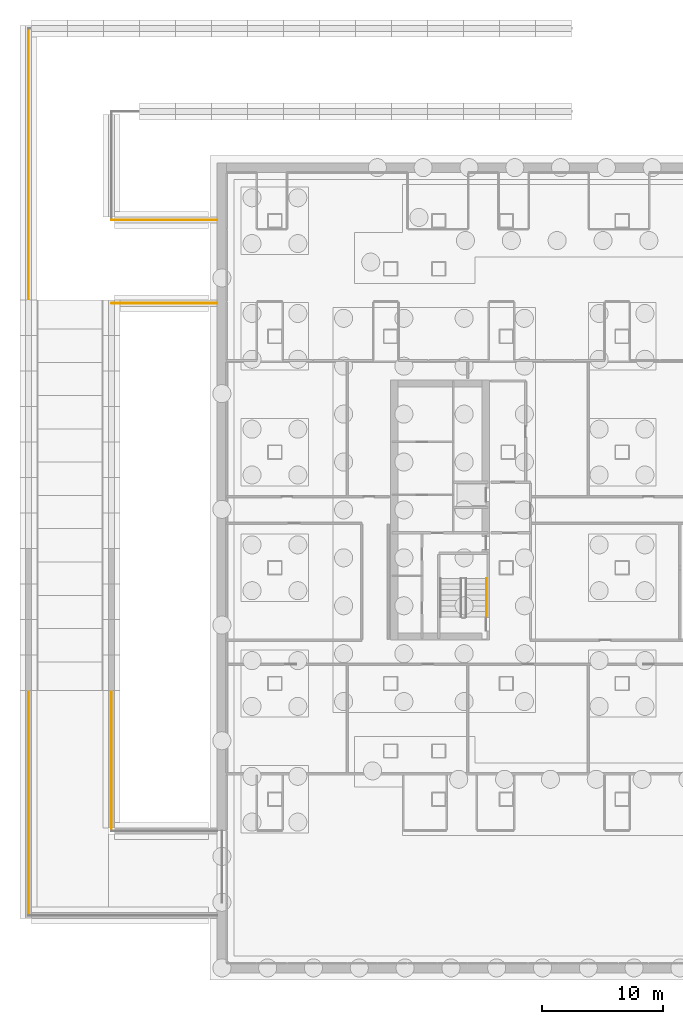
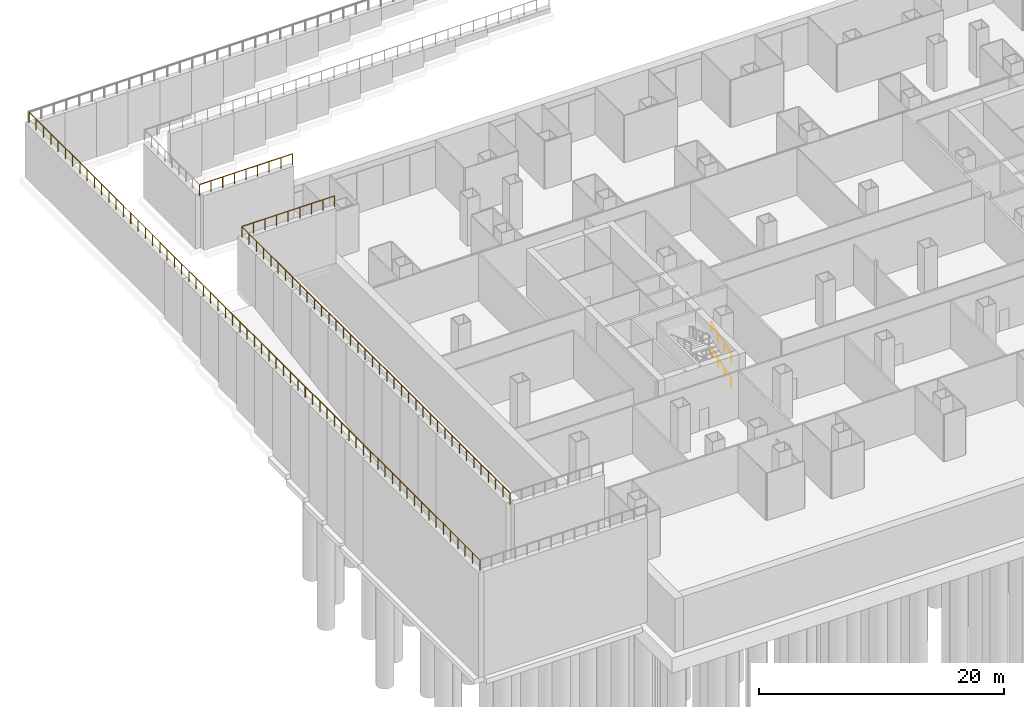
# One storey, part 14 of 17: 6 railings.
"""IFC4 building model written with IfcOpenShell, lengths in metres."""

from ifc_helpers import new_model, si_unit, direction, frame, origin, origin_2d, place, context, subcontext, project, spatial, circle, extrude, material, type_object, element, save


model = new_model("IFC4")

# Units and contexts
model_context = context("Model", 3, precision=1e-05, world=origin(), true_north=direction((0.0, 1.0)))
body_context = subcontext(model_context, "Body", "Model", "MODEL_VIEW")
ifc_project = project(units=[si_unit("LENGTHUNIT", "METRE"), si_unit("AREAUNIT", "SQUARE_METRE"), si_unit("VOLUMEUNIT", "CUBIC_METRE"), si_unit("PLANEANGLEUNIT", "RADIAN"), si_unit("MASSUNIT", "GRAM", prefix="KILO")], contexts=[model_context])

# Site, building, storey
site_placement = place(None, origin())
site = spatial("IfcSite", under=ifc_project, at=site_placement, CompositionType="ELEMENT")
building_placement = place(site_placement, origin())
building = spatial("IfcBuilding", under=site, at=building_placement, Name="Cobrizo Arcos Hotel Tower", CompositionType="ELEMENT")
storey_placement = place(building_placement, frame((0.0, 0.0, -10.0)))
storey = spatial("IfcBuildingStorey", under=building, at=storey_placement, Name="B2", CompositionType="ELEMENT", Elevation=-10.0)

# Railings
ifc_material = material(Name="Stainless steel railing", Category="steel")
railing_type_1 = type_object("IfcRailingType", Name="Ramp edge guard 1100", PredefinedType="GUARDRAIL", material=ifc_material)
railing_1_placement = place(storey_placement, frame((-54.050048828125, 39.949951171875, 10.14990234375)))
element("IfcRailing", 1, at=railing_1_placement, inside=storey, type_object=railing_type_1, Name="Ramp edge guard street 2", PredefinedType="GUARDRAIL", context=body_context, shape_type="SweptSolid", body=[
    extrude(circle(Radius=0.02392578125, at=origin_2d()), frame((0.0, 0.0, 1.076171875), z_axis=(0.0, -1.0, 0.0), x_axis=(1.0, 0.0, 0.0)), (0.0, 0.0, 1.0), 73.599853515625),
    extrude(circle(Radius=0.02099609375, at=origin_2d()), origin(), (0.0, 0.0, 1.0), 1.052001953125),
    extrude(circle(Radius=0.02099609375, at=origin_2d()), frame((0.0, -1.18701171875, 0.0)), (0.0, 0.0, 1.0), 1.052001953125),
    extrude(circle(Radius=0.02099609375, at=origin_2d()), frame((0.0, -2.374267578125, 0.0)), (0.0, 0.0, 1.0), 1.052001953125),
    extrude(circle(Radius=0.02099609375, at=origin_2d()), frame((0.0, -3.561279296875, 0.0)), (0.0, 0.0, 1.0), 1.052001953125),
    extrude(circle(Radius=0.02099609375, at=origin_2d()), frame((0.0, -4.748291015625, 0.0)), (0.0, 0.0, 1.0), 1.052001953125),
    extrude(circle(Radius=0.02099609375, at=origin_2d()), frame((0.0, -5.935546875, 0.0)), (0.0, 0.0, 1.0), 1.052001953125),
    extrude(circle(Radius=0.02099609375, at=origin_2d()), frame((0.0, -7.12255859375, 0.0)), (0.0, 0.0, 1.0), 1.052001953125),
    extrude(circle(Radius=0.02099609375, at=origin_2d()), frame((0.0, -8.3095703125, 0.0)), (0.0, 0.0, 1.0), 1.052001953125),
    extrude(circle(Radius=0.02099609375, at=origin_2d()), frame((0.0, -9.496826171875, 0.0)), (0.0, 0.0, 1.0), 1.052001953125),
    extrude(circle(Radius=0.02099609375, at=origin_2d()), frame((0.0, -10.683837890625, 0.0)), (0.0, 0.0, 1.0), 1.052001953125),
    extrude(circle(Radius=0.02099609375, at=origin_2d()), frame((0.0, -11.870849609375, 0.0)), (0.0, 0.0, 1.0), 1.052001953125),
    extrude(circle(Radius=0.02099609375, at=origin_2d()), frame((0.0, -13.05810546875, 0.0)), (0.0, 0.0, 1.0), 1.052001953125),
    extrude(circle(Radius=0.02099609375, at=origin_2d()), frame((0.0, -14.2451171875, 0.0)), (0.0, 0.0, 1.0), 1.052001953125),
    extrude(circle(Radius=0.02099609375, at=origin_2d()), frame((0.0, -15.43212890625, 0.0)), (0.0, 0.0, 1.0), 1.052001953125),
    extrude(circle(Radius=0.02099609375, at=origin_2d()), frame((0.0, -16.619384765625, 0.0)), (0.0, 0.0, 1.0), 1.052001953125),
    extrude(circle(Radius=0.02099609375, at=origin_2d()), frame((0.0, -17.806396484375, 0.0)), (0.0, 0.0, 1.0), 1.052001953125),
    extrude(circle(Radius=0.02099609375, at=origin_2d()), frame((0.0, -18.993408203125, 0.0)), (0.0, 0.0, 1.0), 1.052001953125),
    extrude(circle(Radius=0.02099609375, at=origin_2d()), frame((0.0, -20.1806640625, 0.0)), (0.0, 0.0, 1.0), 1.052001953125),
    extrude(circle(Radius=0.02099609375, at=origin_2d()), frame((0.0, -21.36767578125, 0.0)), (0.0, 0.0, 1.0), 1.052001953125),
    extrude(circle(Radius=0.02099609375, at=origin_2d()), frame((0.0, -22.5546875, 0.0)), (0.0, 0.0, 1.0), 1.052001953125),
    extrude(circle(Radius=0.02099609375, at=origin_2d()), frame((0.0, -23.741943359375, 0.0)), (0.0, 0.0, 1.0), 1.052001953125),
    extrude(circle(Radius=0.02099609375, at=origin_2d()), frame((0.0, -24.928955078125, 0.0)), (0.0, 0.0, 1.0), 1.052001953125),
    extrude(circle(Radius=0.02099609375, at=origin_2d()), frame((0.0, -26.115966796875, 0.0)), (0.0, 0.0, 1.0), 1.052001953125),
    extrude(circle(Radius=0.02099609375, at=origin_2d()), frame((0.0, -27.30322265625, 0.0)), (0.0, 0.0, 1.0), 1.052001953125),
    extrude(circle(Radius=0.02099609375, at=origin_2d()), frame((0.0, -28.490234375, 0.0)), (0.0, 0.0, 1.0), 1.052001953125),
    extrude(circle(Radius=0.02099609375, at=origin_2d()), frame((0.0, -29.67724609375, 0.0)), (0.0, 0.0, 1.0), 1.052001953125),
    extrude(circle(Radius=0.02099609375, at=origin_2d()), frame((0.0, -30.864501953125, 0.0)), (0.0, 0.0, 1.0), 1.052001953125),
    extrude(circle(Radius=0.02099609375, at=origin_2d()), frame((0.0, -32.051513671875, 0.0)), (0.0, 0.0, 1.0), 1.052001953125),
    extrude(circle(Radius=0.02099609375, at=origin_2d()), frame((0.0, -33.238525390625, 0.0)), (0.0, 0.0, 1.0), 1.052001953125),
    extrude(circle(Radius=0.02099609375, at=origin_2d()), frame((0.0, -34.42578125, 0.0)), (0.0, 0.0, 1.0), 1.052001953125),
    extrude(circle(Radius=0.02099609375, at=origin_2d()), frame((0.0, -35.61279296875, 0.0)), (0.0, 0.0, 1.0), 1.052001953125),
    extrude(circle(Radius=0.02099609375, at=origin_2d()), frame((0.0, -36.7998046875, 0.0)), (0.0, 0.0, 1.0), 1.052001953125),
    extrude(circle(Radius=0.02099609375, at=origin_2d()), frame((0.0, -37.987060546875, 0.0)), (0.0, 0.0, 1.0), 1.052001953125),
    extrude(circle(Radius=0.02099609375, at=origin_2d()), frame((0.0, -39.174072265625, 0.0)), (0.0, 0.0, 1.0), 1.052001953125),
    extrude(circle(Radius=0.02099609375, at=origin_2d()), frame((0.0, -40.361328125, 0.0)), (0.0, 0.0, 1.0), 1.052001953125),
    extrude(circle(Radius=0.02099609375, at=origin_2d()), frame((0.0, -41.54833984375, 0.0)), (0.0, 0.0, 1.0), 1.052001953125),
    extrude(circle(Radius=0.02099609375, at=origin_2d()), frame((0.0, -42.7353515625, 0.0)), (0.0, 0.0, 1.0), 1.052001953125),
    extrude(circle(Radius=0.02099609375, at=origin_2d()), frame((0.0, -43.922607421875, 0.0)), (0.0, 0.0, 1.0), 1.052001953125),
    extrude(circle(Radius=0.02099609375, at=origin_2d()), frame((0.0, -45.109619140625, 0.0)), (0.0, 0.0, 1.0), 1.052001953125),
    extrude(circle(Radius=0.02099609375, at=origin_2d()), frame((0.0, -46.296630859375, 0.0)), (0.0, 0.0, 1.0), 1.052001953125),
    extrude(circle(Radius=0.02099609375, at=origin_2d()), frame((0.0, -47.48388671875, 0.0)), (0.0, 0.0, 1.0), 1.052001953125),
    extrude(circle(Radius=0.02099609375, at=origin_2d()), frame((0.0, -48.6708984375, 0.0)), (0.0, 0.0, 1.0), 1.052001953125),
    extrude(circle(Radius=0.02099609375, at=origin_2d()), frame((0.0, -49.85791015625, 0.0)), (0.0, 0.0, 1.0), 1.052001953125),
    extrude(circle(Radius=0.02099609375, at=origin_2d()), frame((0.0, -51.045166015625, 0.0)), (0.0, 0.0, 1.0), 1.052001953125),
    extrude(circle(Radius=0.02099609375, at=origin_2d()), frame((0.0, -52.232177734375, 0.0)), (0.0, 0.0, 1.0), 1.052001953125),
    extrude(circle(Radius=0.02099609375, at=origin_2d()), frame((0.0, -53.419189453125, 0.0)), (0.0, 0.0, 1.0), 1.052001953125),
    extrude(circle(Radius=0.02099609375, at=origin_2d()), frame((0.0, -54.6064453125, 0.0)), (0.0, 0.0, 1.0), 1.052001953125),
    extrude(circle(Radius=0.02099609375, at=origin_2d()), frame((0.0, -55.79345703125, 0.0)), (0.0, 0.0, 1.0), 1.052001953125),
    extrude(circle(Radius=0.02099609375, at=origin_2d()), frame((0.0, -56.98046875, 0.0)), (0.0, 0.0, 1.0), 1.052001953125),
    extrude(circle(Radius=0.02099609375, at=origin_2d()), frame((0.0, -58.167724609375, 0.0)), (0.0, 0.0, 1.0), 1.052001953125),
    extrude(circle(Radius=0.02099609375, at=origin_2d()), frame((0.0, -59.354736328125, 0.0)), (0.0, 0.0, 1.0), 1.052001953125),
    extrude(circle(Radius=0.02099609375, at=origin_2d()), frame((0.0, -60.541748046875, 0.0)), (0.0, 0.0, 1.0), 1.052001953125),
    extrude(circle(Radius=0.02099609375, at=origin_2d()), frame((0.0, -61.72900390625, 0.0)), (0.0, 0.0, 1.0), 1.052001953125),
    extrude(circle(Radius=0.02099609375, at=origin_2d()), frame((0.0, -62.916015625, 0.0)), (0.0, 0.0, 1.0), 1.052001953125),
    extrude(circle(Radius=0.02099609375, at=origin_2d()), frame((0.0, -64.10302734375, 0.0)), (0.0, 0.0, 1.0), 1.052001953125),
    extrude(circle(Radius=0.02099609375, at=origin_2d()), frame((0.0, -65.290283203125, 0.0)), (0.0, 0.0, 1.0), 1.052001953125),
    extrude(circle(Radius=0.02099609375, at=origin_2d()), frame((0.0, -66.477294921875, 0.0)), (0.0, 0.0, 1.0), 1.052001953125),
    extrude(circle(Radius=0.02099609375, at=origin_2d()), frame((0.0, -67.664306640625, 0.0)), (0.0, 0.0, 1.0), 1.052001953125),
    extrude(circle(Radius=0.02099609375, at=origin_2d()), frame((0.0, -68.8515625, 0.0)), (0.0, 0.0, 1.0), 1.052001953125),
    extrude(circle(Radius=0.02099609375, at=origin_2d()), frame((0.0, -70.03857421875, 0.0)), (0.0, 0.0, 1.0), 1.052001953125),
    extrude(circle(Radius=0.02099609375, at=origin_2d()), frame((0.0, -71.2255859375, 0.0)), (0.0, 0.0, 1.0), 1.052001953125),
    extrude(circle(Radius=0.02099609375, at=origin_2d()), frame((0.0, -72.412841796875, 0.0)), (0.0, 0.0, 1.0), 1.052001953125),
    extrude(circle(Radius=0.02099609375, at=origin_2d()), frame((0.0, -73.599853515625, 0.0)), (0.0, 0.0, 1.0), 1.052001953125),
])
railing_2_placement = place(storey_placement, frame((-38.39990234375, 17.14990234375, 10.14990234375)))
element("IfcRailing", 2, at=railing_2_placement, inside=storey, type_object=railing_type_1, Name="Ramp edge guard inner south 1", PredefinedType="GUARDRAIL", context=body_context, shape_type="SweptSolid", body=[
    extrude(circle(Radius=0.02392578125, at=origin_2d()), frame((0.0, 0.0, 1.076171875), z_axis=(-1.0, 0.0, 0.0), x_axis=(0.0, -1.0, 0.0)), (0.0, 0.0, 1.0), 8.75),
    extrude(circle(Radius=0.02099609375, at=origin_2d()), origin(), (0.0, 0.0, 1.0), 1.052001953125),
    extrude(circle(Radius=0.02099609375, at=origin_2d()), frame((-1.09375, 0.0, 0.0)), (0.0, 0.0, 1.0), 1.052001953125),
    extrude(circle(Radius=0.02099609375, at=origin_2d()), frame((-2.1875, 0.0, 0.0)), (0.0, 0.0, 1.0), 1.052001953125),
    extrude(circle(Radius=0.02099609375, at=origin_2d()), frame((-3.28125, 0.0, 0.0)), (0.0, 0.0, 1.0), 1.052001953125),
    extrude(circle(Radius=0.02099609375, at=origin_2d()), frame((-4.375, 0.0, 0.0)), (0.0, 0.0, 1.0), 1.052001953125),
    extrude(circle(Radius=0.02099609375, at=origin_2d()), frame((-5.46875, 0.0, 0.0)), (0.0, 0.0, 1.0), 1.052001953125),
    extrude(circle(Radius=0.02099609375, at=origin_2d()), frame((-6.5625, 0.0, 0.0)), (0.0, 0.0, 1.0), 1.052001953125),
    extrude(circle(Radius=0.02099609375, at=origin_2d()), frame((-7.65625, 0.0, 0.0)), (0.0, 0.0, 1.0), 1.052001953125),
    extrude(circle(Radius=0.02099609375, at=origin_2d()), frame((-8.75, 0.0, 0.0)), (0.0, 0.0, 1.0), 1.052001953125),
])
railing_3_placement = place(storey_placement, frame((-47.14990234375, 17.14990234375, 10.14990234375)))
element("IfcRailing", 3, at=railing_3_placement, inside=storey, type_object=railing_type_1, Name="Ramp edge guard inner south 2", PredefinedType="GUARDRAIL", context=body_context, shape_type="SweptSolid", body=[
    extrude(circle(Radius=0.02392578125, at=origin_2d()), frame((0.0, 0.0, 1.076171875), z_axis=(0.0, -1.0, 0.0), x_axis=(1.0, 0.0, 0.0)), (0.0, 0.0, 1.0), 43.7998046875),
    extrude(circle(Radius=0.02099609375, at=origin_2d()), origin(), (0.0, 0.0, 1.0), 1.052001953125),
    extrude(circle(Radius=0.02099609375, at=origin_2d()), frame((0.0, -1.183837890625, 0.0)), (0.0, 0.0, 1.0), 1.052001953125),
    extrude(circle(Radius=0.02099609375, at=origin_2d()), frame((0.0, -2.36767578125, 0.0)), (0.0, 0.0, 1.0), 1.052001953125),
    extrude(circle(Radius=0.02099609375, at=origin_2d()), frame((0.0, -3.55126953125, 0.0)), (0.0, 0.0, 1.0), 1.052001953125),
    extrude(circle(Radius=0.02099609375, at=origin_2d()), frame((0.0, -4.735107421875, 0.0)), (0.0, 0.0, 1.0), 1.052001953125),
    extrude(circle(Radius=0.02099609375, at=origin_2d()), frame((0.0, -5.9189453125, 0.0)), (0.0, 0.0, 1.0), 1.052001953125),
    extrude(circle(Radius=0.02099609375, at=origin_2d()), frame((0.0, -7.102783203125, 0.0)), (0.0, 0.0, 1.0), 1.052001953125),
    extrude(circle(Radius=0.02099609375, at=origin_2d()), frame((0.0, -8.286376953125, 0.0)), (0.0, 0.0, 1.0), 1.052001953125),
    extrude(circle(Radius=0.02099609375, at=origin_2d()), frame((0.0, -9.47021484375, 0.0)), (0.0, 0.0, 1.0), 1.052001953125),
    extrude(circle(Radius=0.02099609375, at=origin_2d()), frame((0.0, -10.654052734375, 0.0)), (0.0, 0.0, 1.0), 1.052001953125),
    extrude(circle(Radius=0.02099609375, at=origin_2d()), frame((0.0, -11.837890625, 0.0)), (0.0, 0.0, 1.0), 1.052001953125),
    extrude(circle(Radius=0.02099609375, at=origin_2d()), frame((0.0, -13.021484375, 0.0)), (0.0, 0.0, 1.0), 1.052001953125),
    extrude(circle(Radius=0.02099609375, at=origin_2d()), frame((0.0, -14.205322265625, 0.0)), (0.0, 0.0, 1.0), 1.052001953125),
    extrude(circle(Radius=0.02099609375, at=origin_2d()), frame((0.0, -15.38916015625, 0.0)), (0.0, 0.0, 1.0), 1.052001953125),
    extrude(circle(Radius=0.02099609375, at=origin_2d()), frame((0.0, -16.572998046875, 0.0)), (0.0, 0.0, 1.0), 1.052001953125),
    extrude(circle(Radius=0.02099609375, at=origin_2d()), frame((0.0, -17.756591796875, 0.0)), (0.0, 0.0, 1.0), 1.052001953125),
    extrude(circle(Radius=0.02099609375, at=origin_2d()), frame((0.0, -18.9404296875, 0.0)), (0.0, 0.0, 1.0), 1.052001953125),
    extrude(circle(Radius=0.02099609375, at=origin_2d()), frame((0.0, -20.124267578125, 0.0)), (0.0, 0.0, 1.0), 1.052001953125),
    extrude(circle(Radius=0.02099609375, at=origin_2d()), frame((0.0, -21.30810546875, 0.0)), (0.0, 0.0, 1.0), 1.052001953125),
    extrude(circle(Radius=0.02099609375, at=origin_2d()), frame((0.0, -22.49169921875, 0.0)), (0.0, 0.0, 1.0), 1.052001953125),
    extrude(circle(Radius=0.02099609375, at=origin_2d()), frame((0.0, -23.675537109375, 0.0)), (0.0, 0.0, 1.0), 1.052001953125),
    extrude(circle(Radius=0.02099609375, at=origin_2d()), frame((0.0, -24.859375, 0.0)), (0.0, 0.0, 1.0), 1.052001953125),
    extrude(circle(Radius=0.02099609375, at=origin_2d()), frame((0.0, -26.043212890625, 0.0)), (0.0, 0.0, 1.0), 1.052001953125),
    extrude(circle(Radius=0.02099609375, at=origin_2d()), frame((0.0, -27.226806640625, 0.0)), (0.0, 0.0, 1.0), 1.052001953125),
    extrude(circle(Radius=0.02099609375, at=origin_2d()), frame((0.0, -28.41064453125, 0.0)), (0.0, 0.0, 1.0), 1.052001953125),
    extrude(circle(Radius=0.02099609375, at=origin_2d()), frame((0.0, -29.594482421875, 0.0)), (0.0, 0.0, 1.0), 1.052001953125),
    extrude(circle(Radius=0.02099609375, at=origin_2d()), frame((0.0, -30.7783203125, 0.0)), (0.0, 0.0, 1.0), 1.052001953125),
    extrude(circle(Radius=0.02099609375, at=origin_2d()), frame((0.0, -31.9619140625, 0.0)), (0.0, 0.0, 1.0), 1.052001953125),
    extrude(circle(Radius=0.02099609375, at=origin_2d()), frame((0.0, -33.145751953125, 0.0)), (0.0, 0.0, 1.0), 1.052001953125),
    extrude(circle(Radius=0.02099609375, at=origin_2d()), frame((0.0, -34.32958984375, 0.0)), (0.0, 0.0, 1.0), 1.052001953125),
    extrude(circle(Radius=0.02099609375, at=origin_2d()), frame((0.0, -35.513427734375, 0.0)), (0.0, 0.0, 1.0), 1.052001953125),
    extrude(circle(Radius=0.02099609375, at=origin_2d()), frame((0.0, -36.697021484375, 0.0)), (0.0, 0.0, 1.0), 1.052001953125),
    extrude(circle(Radius=0.02099609375, at=origin_2d()), frame((0.0, -37.880859375, 0.0)), (0.0, 0.0, 1.0), 1.052001953125),
    extrude(circle(Radius=0.02099609375, at=origin_2d()), frame((0.0, -39.064697265625, 0.0)), (0.0, 0.0, 1.0), 1.052001953125),
    extrude(circle(Radius=0.02099609375, at=origin_2d()), frame((0.0, -40.24853515625, 0.0)), (0.0, 0.0, 1.0), 1.052001953125),
    extrude(circle(Radius=0.02099609375, at=origin_2d()), frame((0.0, -41.43212890625, 0.0)), (0.0, 0.0, 1.0), 1.052001953125),
    extrude(circle(Radius=0.02099609375, at=origin_2d()), frame((0.0, -42.615966796875, 0.0)), (0.0, 0.0, 1.0), 1.052001953125),
    extrude(circle(Radius=0.02099609375, at=origin_2d()), frame((0.0, -43.7998046875, 0.0)), (0.0, 0.0, 1.0), 1.052001953125),
])
railing_4_placement = place(storey_placement, frame((-38.39990234375, 24.050048828125, 10.14990234375)))
element("IfcRailing", 4, at=railing_4_placement, inside=storey, type_object=railing_type_1, Name="Ramp edge guard inner north 1", PredefinedType="GUARDRAIL", context=body_context, shape_type="SweptSolid", body=[
    extrude(circle(Radius=0.02392578125, at=origin_2d()), frame((0.0, 0.0, 1.076171875), z_axis=(-1.0, 0.0, 0.0), x_axis=(0.0, -1.0, 0.0)), (0.0, 0.0, 1.0), 8.75),
    extrude(circle(Radius=0.02099609375, at=origin_2d()), origin(), (0.0, 0.0, 1.0), 1.052001953125),
    extrude(circle(Radius=0.02099609375, at=origin_2d()), frame((-1.09375, 0.0, 0.0)), (0.0, 0.0, 1.0), 1.052001953125),
    extrude(circle(Radius=0.02099609375, at=origin_2d()), frame((-2.1875, 0.0, 0.0)), (0.0, 0.0, 1.0), 1.052001953125),
    extrude(circle(Radius=0.02099609375, at=origin_2d()), frame((-3.28125, 0.0, 0.0)), (0.0, 0.0, 1.0), 1.052001953125),
    extrude(circle(Radius=0.02099609375, at=origin_2d()), frame((-4.375, 0.0, 0.0)), (0.0, 0.0, 1.0), 1.052001953125),
    extrude(circle(Radius=0.02099609375, at=origin_2d()), frame((-5.46875, 0.0, 0.0)), (0.0, 0.0, 1.0), 1.052001953125),
    extrude(circle(Radius=0.02099609375, at=origin_2d()), frame((-6.5625, 0.0, 0.0)), (0.0, 0.0, 1.0), 1.052001953125),
    extrude(circle(Radius=0.02099609375, at=origin_2d()), frame((-7.65625, 0.0, 0.0)), (0.0, 0.0, 1.0), 1.052001953125),
    extrude(circle(Radius=0.02099609375, at=origin_2d()), frame((-8.75, 0.0, 0.0)), (0.0, 0.0, 1.0), 1.052001953125),
])
railing_type_2 = type_object("IfcRailingType", Name="Stair handrail", PredefinedType="HANDRAIL", material=ifc_material)
for number, where, name in (
    (5, (-16.050048828125, -8.89990234375, 0.15625), "B2 ST-W stair handrail 1"),
    (6, (-16.050048828125, -8.89990234375, 2.65625), "B2 ST-W stair handrail 3"),
):
    element("IfcRailing", number, at=place(storey_placement, frame(where)), inside=storey, type_object=railing_type_2, Name=name, PredefinedType="HANDRAIL", context=body_context, shape_type="SweptSolid", body=[
        extrude(circle(Radius=0.02392578125, at=origin_2d()), frame((0.0, 0.0, 0.8759765625), z_axis=(0.0, 0.946865913867, 0.321628576399), x_axis=(-1.0, 0.0, 0.0)), (0.0, 0.0, 1.0), 3.400634765625),
        extrude(circle(Radius=0.02099609375, at=origin_2d()), origin(), (0.0, 0.0, 1.0), 0.851806640625),
        extrude(circle(Radius=0.02099609375, at=origin_2d()), frame((0.0, 1.0732421875, 0.364501953125)), (0.0, 0.0, 1.0), 0.851806640625),
        extrude(circle(Radius=0.02099609375, at=origin_2d()), frame((0.0, 2.146728515625, 0.729248046875)), (0.0, 0.0, 1.0), 0.851806640625),
        extrude(circle(Radius=0.02099609375, at=origin_2d()), frame((0.0, 3.219970703125, 1.09375)), (0.0, 0.0, 1.0), 0.851806640625),
    ])

save(model, "model.ifc")
